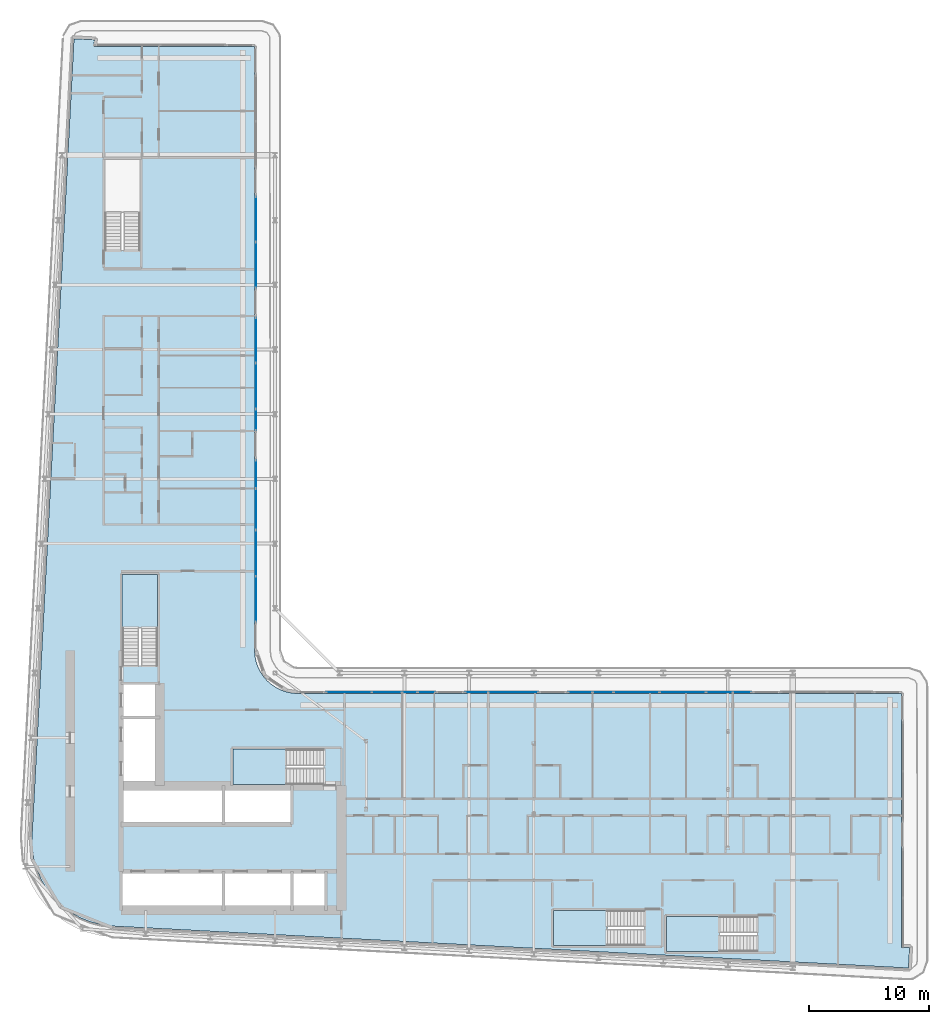
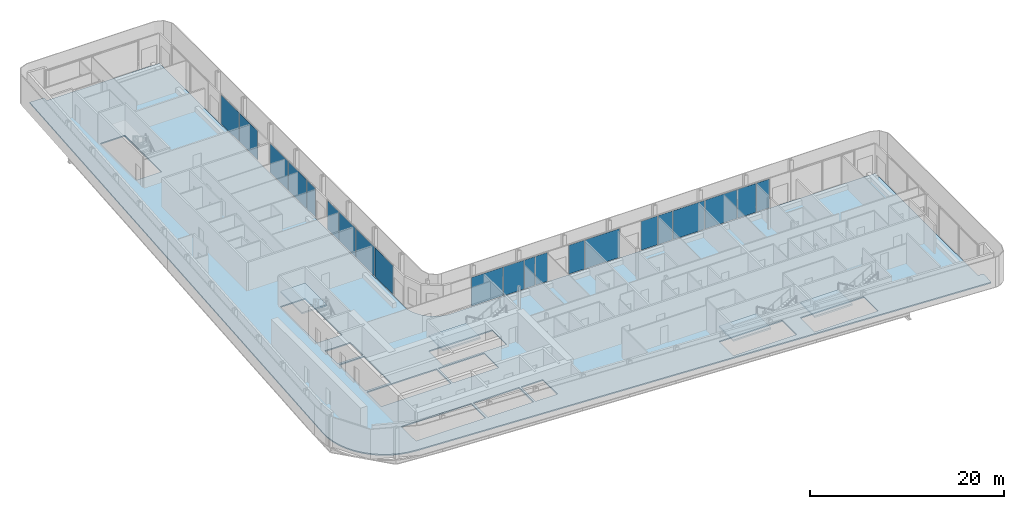
# One storey, part 12 of 29: 21 plates, 5 slabs, 14 elements without a shape of their own.
"""IFC4 building model written with IfcOpenShell, lengths in metres."""

from ifc_helpers import new_model, si_unit, direction, frame, origin, origin_2d, place, context, subcontext, project, spatial, polyline, rectangle, outline, extrude, material, layer, layer_set, type_object, element, aggregate, save


model = new_model("IFC4")

# Units and contexts
model_context = context("Model", 3, precision=1e-05, world=origin(), true_north=direction((0.0, 1.0)))
body_context = subcontext(model_context, "Body", "Model", "MODEL_VIEW")
ifc_project = project(units=[si_unit("LENGTHUNIT", "METRE"), si_unit("AREAUNIT", "SQUARE_METRE"), si_unit("VOLUMEUNIT", "CUBIC_METRE"), si_unit("PLANEANGLEUNIT", "RADIAN"), si_unit("MASSUNIT", "GRAM", prefix="KILO")], contexts=[model_context])

# Site, building, storey
site_placement = place(None, origin())
site = spatial("IfcSite", under=ifc_project, at=site_placement, CompositionType="ELEMENT")
building_placement = place(site_placement, origin())
building = spatial("IfcBuilding", under=site, at=building_placement, Name="Kheshtan School and Residences Tower", CompositionType="ELEMENT")
storey_placement = place(building_placement, frame((0.0, 0.0, 183.800048828125)))
storey = spatial("IfcBuildingStorey", under=building, at=storey_placement, Name="L43", CompositionType="ELEMENT", Elevation=183.800048828125)

# Curtain wall, plates
ifc_material_1 = material(Name="Clear low-e glass in thermally broken aluminium frame", Category="aluminium")
ifc_layer_1 = layer(ifc_material_1, 0.199951171875)
ifc_layer_set_1 = layer_set([ifc_layer_1], Name="Curtain wall CW-L")
curtain_wall_type = type_object("IfcCurtainWallType", Name="Curtain wall CW-L", PredefinedType="NOTDEFINED", material=ifc_layer_set_1)
curtain_wall_1_placement = place(storey_placement, origin())
curtain_wall_1 = element("IfcCurtainWall", 1, at=curtain_wall_1_placement, inside=storey, type_object=curtain_wall_type, Name="Curtain wall CWL8", PredefinedType="NOTDEFINED")
ifc_layer_2 = layer(ifc_material_1, 0.031982421875)
ifc_layer_set_2 = layer_set([ifc_layer_2], Name="CW-L glass panel")
plate_type = type_object("IfcPlateType", Name="CW-L glass panel", PredefinedType="CURTAIN_PANEL", material=ifc_layer_set_2)
plate_1_placement = place(storey_placement, frame((46.0, 83.467529296875, 0.0), z_axis=(0.0, 0.0, 1.0), x_axis=(0.0, -1.0, 0.0)))
plate_1 = element("IfcPlate", 2, at=plate_1_placement, type_object=plate_type, Name="CWL8 panel 1.1", PredefinedType="CURTAIN_PANEL", context=body_context, shape_type="SweptSolid", body=[
    extrude(rectangle(XDim=3.757080078125, YDim=0.031982421875, at=origin_2d()), origin(), (0.0, 0.0, 1.0), 3.6298828125),
])
plate_2_placement = place(storey_placement, frame((46.0, 79.650390625, 0.0), z_axis=(0.0, 0.0, 1.0), x_axis=(0.0, -1.0, 0.0)))
plate_2 = element("IfcPlate", 3, at=plate_2_placement, type_object=plate_type, Name="CWL8 panel 2.1", PredefinedType="CURTAIN_PANEL", context=body_context, shape_type="SweptSolid", body=[
    extrude(rectangle(XDim=3.757080078125, YDim=0.031982421875, at=origin_2d()), origin(), (0.0, 0.0, 1.0), 3.6298828125),
])
aggregate(curtain_wall_1, [plate_1, plate_2])

curtain_wall_2_placement = place(storey_placement, origin())
curtain_wall_2 = element("IfcCurtainWall", 4, at=curtain_wall_2_placement, inside=storey, type_object=curtain_wall_type, Name="Curtain wall CWL8", PredefinedType="NOTDEFINED")
plate_3_placement = place(storey_placement, frame((46.0, 73.37353515625, 0.0), z_axis=(0.0, 0.0, 1.0), x_axis=(0.0, -1.0, 0.0)))
plate_3 = element("IfcPlate", 5, at=plate_3_placement, type_object=plate_type, Name="CWL8 panel 1.1", PredefinedType="CURTAIN_PANEL", context=body_context, shape_type="SweptSolid", body=[
    extrude(rectangle(XDim=3.757080078125, YDim=0.031982421875, at=origin_2d()), origin(), (0.0, 0.0, 1.0), 3.6298828125),
])
plate_4_placement = place(storey_placement, frame((46.0, 69.556396484375, 0.0), z_axis=(0.0, 0.0, 1.0), x_axis=(0.0, -1.0, 0.0)))
plate_4 = element("IfcPlate", 6, at=plate_4_placement, type_object=plate_type, Name="CWL8 panel 2.1", PredefinedType="CURTAIN_PANEL", context=body_context, shape_type="SweptSolid", body=[
    extrude(rectangle(XDim=3.757080078125, YDim=0.031982421875, at=origin_2d()), origin(), (0.0, 0.0, 1.0), 3.6298828125),
])
aggregate(curtain_wall_2, [plate_3, plate_4])

# Curtain wall, plate
curtain_wall_3_placement = place(storey_placement, origin())
curtain_wall_3 = element("IfcCurtainWall", 7, at=curtain_wall_3_placement, inside=storey, type_object=curtain_wall_type, Name="Curtain wall CWL8e", PredefinedType="NOTDEFINED")
plate_5_placement = place(storey_placement, frame((46.0, 66.748046875, 0.0), z_axis=(0.0, 0.0, 1.0), x_axis=(0.0, -1.0, 0.0)))
plate_5 = element("IfcPlate", 8, at=plate_5_placement, type_object=plate_type, Name="CWL8e panel 1.1", PredefinedType="CURTAIN_PANEL", context=body_context, shape_type="SweptSolid", body=[
    extrude(rectangle(XDim=1.739990234375, YDim=0.031982421875, at=origin_2d()), origin(), (0.0, 0.0, 1.0), 3.6298828125),
])
aggregate(curtain_wall_3, [plate_5])

# Curtain wall, plates
curtain_wall_4_placement = place(storey_placement, origin())
curtain_wall_4 = element("IfcCurtainWall", 9, at=curtain_wall_4_placement, inside=storey, type_object=curtain_wall_type, Name="Curtain wall CWL8m", PredefinedType="NOTDEFINED")
plate_6_placement = place(storey_placement, frame((46.0, 62.194091796875, 0.0), z_axis=(0.0, 0.0, 1.0), x_axis=(0.0, -1.0, 0.0)))
plate_6 = element("IfcPlate", 10, at=plate_6_placement, type_object=plate_type, Name="CWL8m panel 1.1", PredefinedType="CURTAIN_PANEL", context=body_context, shape_type="SweptSolid", body=[
    extrude(rectangle(XDim=2.327880859375, YDim=0.031982421875, at=origin_2d()), origin(), (0.0, 0.0, 1.0), 3.6298828125),
])
plate_7_placement = place(storey_placement, frame((46.0, 59.277099609375, 0.0), z_axis=(0.0, 0.0, 1.0), x_axis=(0.0, -1.0, 0.0)))
plate_7 = element("IfcPlate", 11, at=plate_7_placement, type_object=plate_type, Name="CWL8m panel 2.1", PredefinedType="CURTAIN_PANEL", context=body_context, shape_type="SweptSolid", body=[
    extrude(rectangle(XDim=3.385986328125, YDim=0.031982421875, at=origin_2d()), origin(), (0.0, 0.0, 1.0), 3.6298828125),
])
aggregate(curtain_wall_4, [plate_6, plate_7])

curtain_wall_5_placement = place(storey_placement, origin())
curtain_wall_5 = element("IfcCurtainWall", 12, at=curtain_wall_5_placement, inside=storey, type_object=curtain_wall_type, Name="Curtain wall CWL8", PredefinedType="NOTDEFINED")
plate_8_placement = place(storey_placement, frame((46.0, 55.615478515625, 0.0), z_axis=(0.0, 0.0, 1.0), x_axis=(0.0, -1.0, 0.0)))
plate_8 = element("IfcPlate", 13, at=plate_8_placement, type_object=plate_type, Name="CWL8 panel 1.1", PredefinedType="CURTAIN_PANEL", context=body_context, shape_type="SweptSolid", body=[
    extrude(rectangle(XDim=3.81689453125, YDim=0.031982421875, at=origin_2d()), origin(), (0.0, 0.0, 1.0), 3.6298828125),
])
plate_9_placement = place(storey_placement, frame((46.0, 51.7685546875, 0.0), z_axis=(0.0, 0.0, 1.0), x_axis=(0.0, -1.0, 0.0)))
plate_9 = element("IfcPlate", 14, at=plate_9_placement, type_object=plate_type, Name="CWL8 panel 2.1", PredefinedType="CURTAIN_PANEL", context=body_context, shape_type="SweptSolid", body=[
    extrude(rectangle(XDim=3.757080078125, YDim=0.031982421875, at=origin_2d()), origin(), (0.0, 0.0, 1.0), 3.6298828125),
])
aggregate(curtain_wall_5, [plate_8, plate_9])

curtain_wall_6_placement = place(storey_placement, origin())
curtain_wall_6 = element("IfcCurtainWall", 15, at=curtain_wall_6_placement, inside=storey, type_object=curtain_wall_type, Name="Curtain wall CWL12k", PredefinedType="NOTDEFINED")
plate_10_placement = place(storey_placement, frame((53.7685546875, 44.0, 0.0), z_axis=(0.0, 0.0, 1.0), x_axis=(1.0, 0.0, 0.0)))
plate_10 = element("IfcPlate", 16, at=plate_10_placement, type_object=plate_type, Name="CWL12k panel 1.1", PredefinedType="CURTAIN_PANEL", context=body_context, shape_type="SweptSolid", body=[
    extrude(rectangle(XDim=3.757080078125, YDim=0.031982421875, at=origin_2d()), origin(), (0.0, 0.0, 1.0), 3.6298828125),
])
plate_11_placement = place(storey_placement, frame((56.9384765625, 44.0, 0.0), z_axis=(0.0, 0.0, 1.0), x_axis=(1.0, 0.0, 0.0)))
plate_11 = element("IfcPlate", 17, at=plate_11_placement, type_object=plate_type, Name="CWL12k panel 2.1", PredefinedType="CURTAIN_PANEL", context=body_context, shape_type="SweptSolid", body=[
    extrude(rectangle(XDim=2.462890625, YDim=0.031982421875, at=origin_2d()), origin(), (0.0, 0.0, 1.0), 3.6298828125),
])
plate_12_placement = place(storey_placement, frame((58.846923828125, 44.0, 0.0), z_axis=(0.0, 0.0, 1.0), x_axis=(1.0, 0.0, 0.0)))
plate_12 = element("IfcPlate", 18, at=plate_12_placement, type_object=plate_type, Name="CWL12k panel 3.1", PredefinedType="CURTAIN_PANEL", context=body_context, shape_type="SweptSolid", body=[
    extrude(rectangle(XDim=1.23388671875, YDim=0.031982421875, at=origin_2d()), origin(), (0.0, 0.0, 1.0), 3.6298828125),
])
aggregate(curtain_wall_6, [plate_10, plate_11, plate_12])

# Curtain wall, plate
curtain_wall_7_placement = place(storey_placement, origin())
curtain_wall_7 = element("IfcCurtainWall", 19, at=curtain_wall_7_placement, inside=storey, type_object=curtain_wall_type, Name="Curtain wall CWL12w", PredefinedType="NOTDEFINED")
plate_13_placement = place(storey_placement, frame((60.243896484375, 44.0, 0.0), z_axis=(0.0, 0.0, 1.0), x_axis=(1.0, 0.0, 0.0)))
plate_13 = element("IfcPlate", 20, at=plate_13_placement, type_object=plate_type, Name="CWL12w panel 1.1", PredefinedType="CURTAIN_PANEL", context=body_context, shape_type="SweptSolid", body=[
    extrude(rectangle(XDim=1.43994140625, YDim=0.031982421875, at=origin_2d()), origin(), (0.0, 0.0, 1.0), 3.6298828125),
])
aggregate(curtain_wall_7, [plate_13])

# Curtain wall, plates
curtain_wall_8_placement = place(storey_placement, origin())
curtain_wall_8 = element("IfcCurtainWall", 21, at=curtain_wall_8_placement, inside=storey, type_object=curtain_wall_type, Name="Curtain wall CWL1227", PredefinedType="NOTDEFINED")
plate_14_placement = place(storey_placement, frame((64.427001953125, 44.0, 0.0), z_axis=(0.0, 0.0, 1.0), x_axis=(1.0, 0.0, 0.0)))
plate_14 = element("IfcPlate", 22, at=plate_14_placement, type_object=plate_type, Name="CWL1227 panel 1.1", PredefinedType="CURTAIN_PANEL", context=body_context, shape_type="SweptSolid", body=[
    extrude(rectangle(XDim=1.885986328125, YDim=0.031982421875, at=origin_2d()), origin(), (0.0, 0.0, 1.0), 3.6298828125),
])
plate_15_placement = place(storey_placement, frame((67.493896484375, 44.0, 0.0), z_axis=(0.0, 0.0, 1.0), x_axis=(1.0, 0.0, 0.0)))
plate_15 = element("IfcPlate", 23, at=plate_15_placement, type_object=plate_type, Name="CWL1227 panel 2.1", PredefinedType="CURTAIN_PANEL", context=body_context, shape_type="SweptSolid", body=[
    extrude(rectangle(XDim=4.1279296875, YDim=0.031982421875, at=origin_2d()), origin(), (0.0, 0.0, 1.0), 3.6298828125),
])
aggregate(curtain_wall_8, [plate_14, plate_15])

curtain_wall_9_placement = place(storey_placement, origin())
curtain_wall_9 = element("IfcCurtainWall", 24, at=curtain_wall_9_placement, inside=storey, type_object=curtain_wall_type, Name="Curtain wall CWL12k", PredefinedType="NOTDEFINED")
plate_16_placement = place(storey_placement, frame((73.073974609375, 44.0, 0.0), z_axis=(0.0, 0.0, 1.0), x_axis=(1.0, 0.0, 0.0)))
plate_16 = element("IfcPlate", 25, at=plate_16_placement, type_object=plate_type, Name="CWL12k panel 1.1", PredefinedType="CURTAIN_PANEL", context=body_context, shape_type="SweptSolid", body=[
    extrude(rectangle(XDim=1.991943359375, YDim=0.031982421875, at=origin_2d()), origin(), (0.0, 0.0, 1.0), 3.6298828125),
])
plate_17_placement = place(storey_placement, frame((74.982421875, 44.0, 0.0), z_axis=(0.0, 0.0, 1.0), x_axis=(1.0, 0.0, 0.0)))
plate_17 = element("IfcPlate", 26, at=plate_17_placement, type_object=plate_type, Name="CWL12k panel 2.1", PredefinedType="CURTAIN_PANEL", context=body_context, shape_type="SweptSolid", body=[
    extrude(rectangle(XDim=1.705078125, YDim=0.031982421875, at=origin_2d()), origin(), (0.0, 0.0, 1.0), 3.6298828125),
])
plate_18_placement = place(storey_placement, frame((77.7734375, 44.0, 0.0), z_axis=(0.0, 0.0, 1.0), x_axis=(1.0, 0.0, 0.0)))
plate_18 = element("IfcPlate", 27, at=plate_18_placement, type_object=plate_type, Name="CWL12k panel 3.1", PredefinedType="CURTAIN_PANEL", context=body_context, shape_type="SweptSolid", body=[
    extrude(rectangle(XDim=3.757080078125, YDim=0.031982421875, at=origin_2d()), origin(), (0.0, 0.0, 1.0), 3.6298828125),
])
aggregate(curtain_wall_9, [plate_16, plate_17, plate_18])

curtain_wall_10_placement = place(storey_placement, origin())
curtain_wall_10 = element("IfcCurtainWall", 28, at=curtain_wall_10_placement, inside=storey, type_object=curtain_wall_type, Name="Curtain wall CWL12k", PredefinedType="NOTDEFINED")
plate_19_placement = place(storey_placement, frame((81.62060546875, 44.0, 0.0), z_axis=(0.0, 0.0, 1.0), x_axis=(1.0, 0.0, 0.0)))
plate_19 = element("IfcPlate", 29, at=plate_19_placement, type_object=plate_type, Name="CWL12k panel 1.1", PredefinedType="CURTAIN_PANEL", context=body_context, shape_type="SweptSolid", body=[
    extrude(rectangle(XDim=3.81689453125, YDim=0.031982421875, at=origin_2d()), origin(), (0.0, 0.0, 1.0), 3.6298828125),
])
plate_20_placement = place(storey_placement, frame((84.679443359375, 44.0, 0.0), z_axis=(0.0, 0.0, 1.0), x_axis=(1.0, 0.0, 0.0)))
plate_20 = element("IfcPlate", 30, at=plate_20_placement, type_object=plate_type, Name="CWL12k panel 2.1", PredefinedType="CURTAIN_PANEL", context=body_context, shape_type="SweptSolid", body=[
    extrude(rectangle(XDim=2.180908203125, YDim=0.031982421875, at=origin_2d()), origin(), (0.0, 0.0, 1.0), 3.6298828125),
])
plate_21_placement = place(storey_placement, frame((86.587890625, 44.0, 0.0), z_axis=(0.0, 0.0, 1.0), x_axis=(1.0, 0.0, 0.0)))
plate_21 = element("IfcPlate", 31, at=plate_21_placement, type_object=plate_type, Name="CWL12k panel 3.1", PredefinedType="CURTAIN_PANEL", context=body_context, shape_type="SweptSolid", body=[
    extrude(rectangle(XDim=1.51611328125, YDim=0.031982421875, at=origin_2d()), origin(), (0.0, 0.0, 1.0), 3.6298828125),
])
aggregate(curtain_wall_10, [plate_19, plate_20, plate_21])

# Slab
ifc_material_2 = material(Name="Concrete C40/50", Category="concrete")
ifc_layer_3 = layer(ifc_material_2, 0.14990234375)
ifc_layer_set_3 = layer_set([ifc_layer_3], Name="Floor slab 150 Concrete C40/50")
slab_type_1 = type_object("IfcSlabType", Name="Floor slab 150 Concrete C40/50", PredefinedType="FLOOR", material=ifc_layer_set_3)
slab_1_placement = place(storey_placement, frame((0.0, 0.0, -0.150146484375)))
element("IfcSlab", 32, at=slab_1_placement, inside=storey, type_object=slab_type_1, Name="Floor slab L43", PredefinedType="FLOOR", context=body_context, shape_type="SweptSolid", body=[
    extrude(outline(polyline([(27.718017578125, 29.200927734375), (27.466064453125, 30.093017578125), (27.466064453125, 30.093994140625), (27.3330078125, 31.013916015625), (27.320068359375, 31.965087890625), (27.320068359375, 31.970947265625), (30.822021484375, 98.5009765625), (30.822998046875, 98.508056640625), (30.825927734375, 98.531005859375), (30.825927734375, 98.531982421875), (30.826904296875, 98.531982421875), (31.422119140625, 98.5), (31.423095703125, 98.5), (31.423095703125, 98.4990234375), (31.423095703125, 98.4951171875), (31.423095703125, 98.493896484375), (31.424072265625, 98.493896484375), (31.424072265625, 98.492919921875), (31.425048828125, 98.492919921875), (31.426025390625, 98.492919921875), (31.426025390625, 98.493896484375), (31.427978515625, 98.49609375), (31.428955078125, 98.4970703125), (31.429931640625, 98.498046875), (31.430908203125, 98.498046875), (31.430908203125, 98.4990234375), (31.431884765625, 98.4990234375), (31.431884765625, 98.5), (31.43505859375, 98.5009765625), (31.43603515625, 98.501953125), (31.43896484375, 98.501953125), (31.43994140625, 98.501953125), (31.43994140625, 98.5029296875), (31.44091796875, 98.5029296875), (31.446044921875, 98.5029296875), (32.5009765625, 98.447021484375), (32.50390625, 98.447021484375), (32.5048828125, 98.447021484375), (32.5048828125, 98.446044921875), (32.506103515625, 98.446044921875), (32.510009765625, 98.446044921875), (32.510009765625, 98.445068359375), (32.510986328125, 98.445068359375), (32.510986328125, 98.444091796875), (32.511962890625, 98.444091796875), (32.511962890625, 98.443115234375), (32.512939453125, 98.443115234375), (32.513916015625, 98.443115234375), (32.513916015625, 98.44189453125), (32.514892578125, 98.44189453125), (32.51611328125, 98.44189453125), (32.51904296875, 98.43896484375), (32.51904296875, 98.43798828125), (32.51904296875, 98.43701171875), (32.52001953125, 98.43701171875), (32.52001953125, 98.43603515625), (32.52099609375, 98.43603515625), (32.52099609375, 98.43408203125), (32.52099609375, 98.43310546875), (32.52197265625, 98.43310546875), (32.52197265625, 98.431884765625), (32.52294921875, 98.431884765625), (32.52294921875, 98.430908203125), (32.52294921875, 98.428955078125), (32.52294921875, 98.427978515625), (32.52392578125, 98.427978515625), (32.52392578125, 98.427001953125), (32.52392578125, 98.422119140625), (32.4970703125, 97.9208984375), (32.4970703125, 97.91796875), (32.4970703125, 97.9169921875), (32.49609375, 97.9169921875), (32.49609375, 97.916015625), (32.49609375, 97.912109375), (32.4951171875, 97.910888671875), (32.4951171875, 97.909912109375), (32.493896484375, 97.909912109375), (32.493896484375, 97.908935546875), (32.492919921875, 97.908935546875), (32.492919921875, 97.907958984375), (32.489013671875, 97.904052734375), (32.488037109375, 97.904052734375), (32.488037109375, 97.903076171875), (32.488037109375, 97.902099609375), (32.488037109375, 97.90087890625), (32.489013671875, 97.90087890625), (32.489013671875, 97.89990234375), (32.489990234375, 97.89990234375), (45.85498046875, 97.89990234375), (45.864990234375, 97.89794921875), (45.865966796875, 97.89794921875), (45.868896484375, 97.89599609375), (45.8740234375, 97.89404296875), (45.8779296875, 97.89208984375), (45.881103515625, 97.889892578125), (45.881103515625, 97.888916015625), (45.882080078125, 97.888916015625), (45.882080078125, 97.887939453125), (45.883056640625, 97.887939453125), (45.884033203125, 97.885009765625), (45.885009765625, 97.885009765625), (45.885009765625, 97.884033203125), (45.887939453125, 97.883056640625), (45.887939453125, 97.882080078125), (45.888916015625, 97.882080078125), (45.888916015625, 97.881103515625), (45.889892578125, 97.881103515625), (45.89208984375, 97.8779296875), (45.89404296875, 97.8740234375), (45.89599609375, 97.868896484375), (45.89794921875, 97.865966796875), (45.89794921875, 97.864990234375), (45.89990234375, 97.85498046875), (45.89990234375, 47.429931640625), (45.927001953125, 47.030029296875), (46.01806640625, 46.570068359375), (46.01806640625, 46.569091796875), (46.169921875, 46.1201171875), (46.37890625, 45.697021484375), (46.638916015625, 45.30810546875), (46.949951171875, 44.950927734375), (46.950927734375, 44.949951171875), (47.30810546875, 44.638916015625), (47.697021484375, 44.37890625), (48.1201171875, 44.169921875), (48.569091796875, 44.01806640625), (48.570068359375, 44.01806640625), (49.030029296875, 43.927001953125), (49.429931640625, 43.89990234375), (99.85498046875, 43.89990234375), (99.864990234375, 43.89794921875), (99.865966796875, 43.89794921875), (99.868896484375, 43.89599609375), (99.8740234375, 43.89404296875), (99.8779296875, 43.89208984375), (99.881103515625, 43.889892578125), (99.881103515625, 43.888916015625), (99.882080078125, 43.888916015625), (99.882080078125, 43.887939453125), (99.883056640625, 43.887939453125), (99.884033203125, 43.885009765625), (99.885009765625, 43.885009765625), (99.885009765625, 43.884033203125), (99.887939453125, 43.883056640625), (99.887939453125, 43.882080078125), (99.888916015625, 43.882080078125), (99.888916015625, 43.881103515625), (99.889892578125, 43.881103515625), (99.89208984375, 43.8779296875), (99.89404296875, 43.8740234375), (99.89599609375, 43.868896484375), (99.89794921875, 43.865966796875), (99.89794921875, 43.864990234375), (99.89990234375, 43.85498046875), (99.89990234375, 22.708984375), (99.89990234375, 22.7080078125), (99.90087890625, 22.7080078125), (99.90087890625, 22.70703125), (99.902099609375, 22.70703125), (99.903076171875, 22.70703125), (99.903076171875, 22.7080078125), (99.905029296875, 22.7099609375), (99.906982421875, 22.7119140625), (99.907958984375, 22.7119140625), (99.907958984375, 22.712890625), (99.908935546875, 22.712890625), (99.908935546875, 22.714111328125), (99.909912109375, 22.714111328125), (99.912109375, 22.715087890625), (99.9130859375, 22.716064453125), (99.916015625, 22.716064453125), (99.9169921875, 22.716064453125), (99.9169921875, 22.717041015625), (99.91796875, 22.717041015625), (99.923095703125, 22.717041015625), (100.5380859375, 22.68408203125), (100.541015625, 22.68408203125), (100.5419921875, 22.68408203125), (100.5419921875, 22.68310546875), (100.54296875, 22.68310546875), (100.547119140625, 22.68310546875), (100.547119140625, 22.681884765625), (100.548095703125, 22.681884765625), (100.548095703125, 22.680908203125), (100.549072265625, 22.680908203125), (100.549072265625, 22.679931640625), (100.550048828125, 22.679931640625), (100.551025390625, 22.679931640625), (100.551025390625, 22.678955078125), (100.552001953125, 22.678955078125), (100.552978515625, 22.678955078125), (100.552978515625, 22.677978515625), (100.554931640625, 22.676025390625), (100.555908203125, 22.676025390625), (100.555908203125, 22.675048828125), (100.555908203125, 22.674072265625), (100.556884765625, 22.674072265625), (100.556884765625, 22.673095703125), (100.55810546875, 22.673095703125), (100.55810546875, 22.6708984375), (100.55810546875, 22.669921875), (100.55908203125, 22.669921875), (100.55908203125, 22.6689453125), (100.56005859375, 22.6689453125), (100.56005859375, 22.66796875), (100.56005859375, 22.666015625), (100.56005859375, 22.6650390625), (100.56103515625, 22.6650390625), (100.56103515625, 22.6640625), (100.56103515625, 22.658935546875), (100.5048828125, 21.60205078125), (100.5048828125, 21.59912109375), (100.5048828125, 21.597900390625), (100.50390625, 21.597900390625), (100.50390625, 21.596923828125), (100.50390625, 21.593017578125), (100.5029296875, 21.592041015625), (100.5029296875, 21.591064453125), (100.501953125, 21.591064453125), (100.501953125, 21.590087890625), (100.5009765625, 21.590087890625), (100.5009765625, 21.589111328125), (100.5, 21.587890625), (100.498046875, 21.5859375), (100.4970703125, 21.5849609375), (100.49609375, 21.5849609375), (100.49609375, 21.583984375), (100.49609375, 21.5830078125), (100.49609375, 21.58203125), (100.4970703125, 21.58203125), (100.4970703125, 21.5810546875), (100.498046875, 21.5810546875), (100.4990234375, 21.5810546875), (100.5, 21.5810546875), (100.5, 21.580078125), (100.468017578125, 20.985107421875), (100.468017578125, 20.98388671875), (100.467041015625, 20.98388671875), (100.443115234375, 20.98291015625), (100.43798828125, 20.98291015625), (34.056884765625, 24.47802734375), (33.114990234375, 24.590087890625), (32.215087890625, 24.819091796875), (32.214111328125, 24.819091796875), (31.35205078125, 25.1630859375), (30.541015625, 25.616943359375), (29.799072265625, 26.1708984375), (29.799072265625, 26.172119140625), (29.798095703125, 26.172119140625), (29.134033203125, 26.820068359375), (29.134033203125, 26.821044921875), (29.133056640625, 26.821044921875), (28.55908203125, 27.550048828125), (28.0849609375, 28.345947265625), (27.718017578125, 29.200927734375)]), holes=[polyline([(99.89990234375, 21.5869140625), (99.89990234375, 21.5830078125), (99.89990234375, 21.58203125), (99.90087890625, 21.58203125), (99.90087890625, 21.5810546875), (99.902099609375, 21.5810546875), (99.906005859375, 21.5810546875), (99.906982421875, 21.5810546875), (99.906982421875, 21.58203125), (99.907958984375, 21.58203125), (99.907958984375, 21.5830078125), (99.907958984375, 21.583984375), (99.906982421875, 21.583984375), (99.905029296875, 21.5859375), (99.904052734375, 21.5869140625), (99.903076171875, 21.587890625), (99.903076171875, 21.589111328125), (99.902099609375, 21.589111328125), (99.90087890625, 21.589111328125), (99.90087890625, 21.587890625), (99.89990234375, 21.587890625), (99.89990234375, 21.5869140625)]), polyline([(31.423095703125, 97.906005859375), (31.423095703125, 97.902099609375), (31.423095703125, 97.90087890625), (31.424072265625, 97.90087890625), (31.424072265625, 97.89990234375), (31.425048828125, 97.89990234375), (31.428955078125, 97.89990234375), (31.429931640625, 97.89990234375), (31.429931640625, 97.90087890625), (31.430908203125, 97.90087890625), (31.430908203125, 97.902099609375), (31.430908203125, 97.903076171875), (31.429931640625, 97.903076171875), (31.428955078125, 97.904052734375), (31.427978515625, 97.905029296875), (31.427001953125, 97.906005859375), (31.426025390625, 97.906982421875), (31.426025390625, 97.907958984375), (31.425048828125, 97.907958984375), (31.424072265625, 97.907958984375), (31.424072265625, 97.906982421875), (31.423095703125, 97.906982421875), (31.423095703125, 97.906005859375)]), polyline([(34.875, 28.925048828125), (34.875, 25.925048828125), (43.175048828125, 25.925048828125), (43.175048828125, 28.925048828125), (34.875, 28.925048828125)]), polyline([(43.175048828125, 36.074951171875), (34.875, 36.074951171875), (34.875, 33.074951171875), (43.175048828125, 33.074951171875), (43.175048828125, 36.074951171875)]), polyline([(34.875, 41.77490234375), (34.875, 36.324951171875), (37.875, 36.324951171875), (37.875, 41.77490234375), (34.875, 41.77490234375)]), polyline([(34.875, 42.02490234375), (37.875, 42.02490234375), (37.875, 44.625), (34.875, 44.625), (34.875, 42.02490234375)]), polyline([(37.800048828125, 46.25), (37.800048828125, 53.81005859375), (34.85009765625, 53.81005859375), (34.85009765625, 46.260009765625), (36.25, 46.260009765625), (36.25, 46.25), (37.800048828125, 46.25)]), polyline([(33.39990234375, 88.4599609375), (33.39990234375, 80.909912109375), (34.800048828125, 80.909912109375), (34.800048828125, 80.89990234375), (36.35009765625, 80.89990234375), (36.35009765625, 88.4599609375), (33.39990234375, 88.4599609375)]), polyline([(87.81005859375, 22.35009765625), (87.81005859375, 23.75), (87.820068359375, 23.75), (87.820068359375, 25.300048828125), (80.260009765625, 25.300048828125), (80.260009765625, 22.35009765625), (87.81005859375, 22.35009765625)]), polyline([(70.85009765625, 22.85009765625), (78.39990234375, 22.85009765625), (78.39990234375, 24.25), (78.409912109375, 24.25), (78.409912109375, 25.800048828125), (70.85009765625, 25.800048828125), (70.85009765625, 22.85009765625)]), polyline([(43.425048828125, 25.925048828125), (48.875, 25.925048828125), (48.875, 28.925048828125), (43.425048828125, 28.925048828125), (43.425048828125, 25.925048828125)]), polyline([(49.125, 25.925048828125), (51.72509765625, 25.925048828125), (51.72509765625, 28.925048828125), (49.125, 28.925048828125), (49.125, 25.925048828125)]), polyline([(43.425048828125, 33.074951171875), (48.875, 33.074951171875), (48.875, 36.074951171875), (43.425048828125, 36.074951171875), (43.425048828125, 33.074951171875)]), polyline([(51.64990234375, 39.25), (44.090087890625, 39.25), (44.090087890625, 36.300048828125), (51.639892578125, 36.300048828125), (51.639892578125, 37.699951171875), (51.64990234375, 37.699951171875), (51.64990234375, 39.25)])]), origin(), (0.0, 0.0, 1.0), 0.150146484375),
])

# Stair, slab
stair_type = type_object("IfcStairType", Name="Exit stair, half-turn", PredefinedType="HALF_TURN_STAIR", material=ifc_material_2)
stair_1_placement = place(storey_placement, origin())
stair_1 = element("IfcStair", 33, at=stair_1_placement, inside=storey, type_object=stair_type, Name="L43 Protected Exit Stair ST1", PredefinedType="HALF_TURN_STAIR")
ifc_layer_4 = layer(ifc_material_2, 0.199951171875)
ifc_layer_set_4 = layer_set([ifc_layer_4], Name="Stair landing 200 Concrete C40/50")
slab_type_2 = type_object("IfcSlabType", Name="Stair landing 200 Concrete C40/50", PredefinedType="LANDING", material=ifc_layer_set_4)
slab_2_placement = place(storey_placement, frame((0.0, 0.0, 1.75)))
slab_2 = element("IfcSlab", 34, at=slab_2_placement, type_object=slab_type_2, Name="ST1 landing 1", PredefinedType="LANDING", context=body_context, shape_type="SweptSolid", body=[
    extrude(outline(polyline([(48.570068359375, 39.25), (44.090087890625, 39.25), (44.090087890625, 36.300048828125), (48.570068359375, 36.300048828125), (48.570068359375, 39.25)])), origin(), (0.0, 0.0, 1.0), 0.199951171875),
])
aggregate(stair_1, [slab_2])

stair_2_placement = place(storey_placement, origin())
stair_2 = element("IfcStair", 35, at=stair_2_placement, inside=storey, type_object=stair_type, Name="L43 Protected Exit Stair ST2", PredefinedType="HALF_TURN_STAIR")
slab_3_placement = place(storey_placement, frame((0.0, 0.0, 1.75)))
slab_3 = element("IfcSlab", 36, at=slab_3_placement, type_object=slab_type_2, Name="ST2 landing 1", PredefinedType="LANDING", context=body_context, shape_type="SweptSolid", body=[
    extrude(outline(polyline([(37.800048828125, 49.330078125), (37.800048828125, 53.81005859375), (34.85009765625, 53.81005859375), (34.85009765625, 49.330078125), (37.800048828125, 49.330078125)])), origin(), (0.0, 0.0, 1.0), 0.199951171875),
])
aggregate(stair_2, [slab_3])

stair_3_placement = place(storey_placement, origin())
stair_3 = element("IfcStair", 37, at=stair_3_placement, inside=storey, type_object=stair_type, Name="L43 Protected Exit Stair ST4", PredefinedType="HALF_TURN_STAIR")
slab_4_placement = place(storey_placement, frame((0.0, 0.0, 1.75)))
slab_4 = element("IfcSlab", 38, at=slab_4_placement, type_object=slab_type_2, Name="ST4 landing 1", PredefinedType="LANDING", context=body_context, shape_type="SweptSolid", body=[
    extrude(outline(polyline([(84.739990234375, 25.300048828125), (80.260009765625, 25.300048828125), (80.260009765625, 22.35009765625), (84.739990234375, 22.35009765625), (84.739990234375, 25.300048828125)])), origin(), (0.0, 0.0, 1.0), 0.199951171875),
])
aggregate(stair_3, [slab_4])

stair_4_placement = place(storey_placement, origin())
stair_4 = element("IfcStair", 39, at=stair_4_placement, inside=storey, type_object=stair_type, Name="L43 Protected Exit Stair ST5", PredefinedType="HALF_TURN_STAIR")
slab_5_placement = place(storey_placement, frame((0.0, 0.0, 1.75)))
slab_5 = element("IfcSlab", 40, at=slab_5_placement, type_object=slab_type_2, Name="ST5 landing 1", PredefinedType="LANDING", context=body_context, shape_type="SweptSolid", body=[
    extrude(outline(polyline([(75.330078125, 25.800048828125), (70.85009765625, 25.800048828125), (70.85009765625, 22.85009765625), (75.330078125, 22.85009765625), (75.330078125, 25.800048828125)])), origin(), (0.0, 0.0, 1.0), 0.199951171875),
])
aggregate(stair_4, [slab_5])

save(model, "model.ifc")
